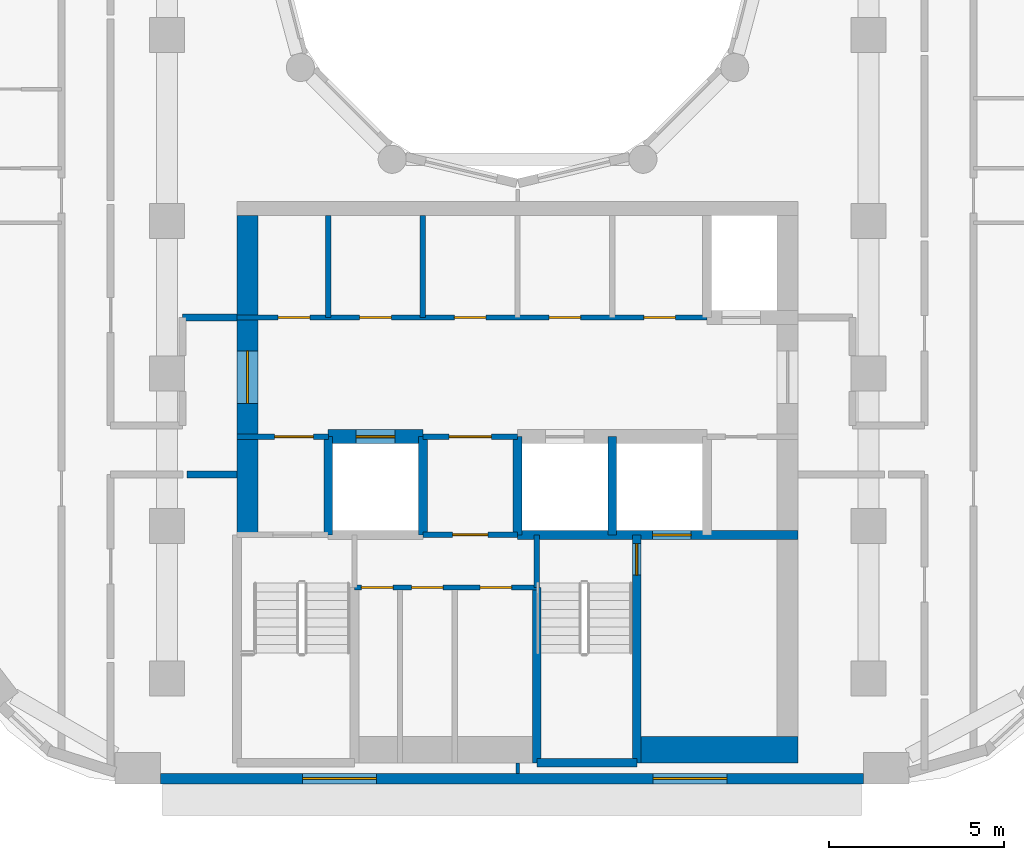
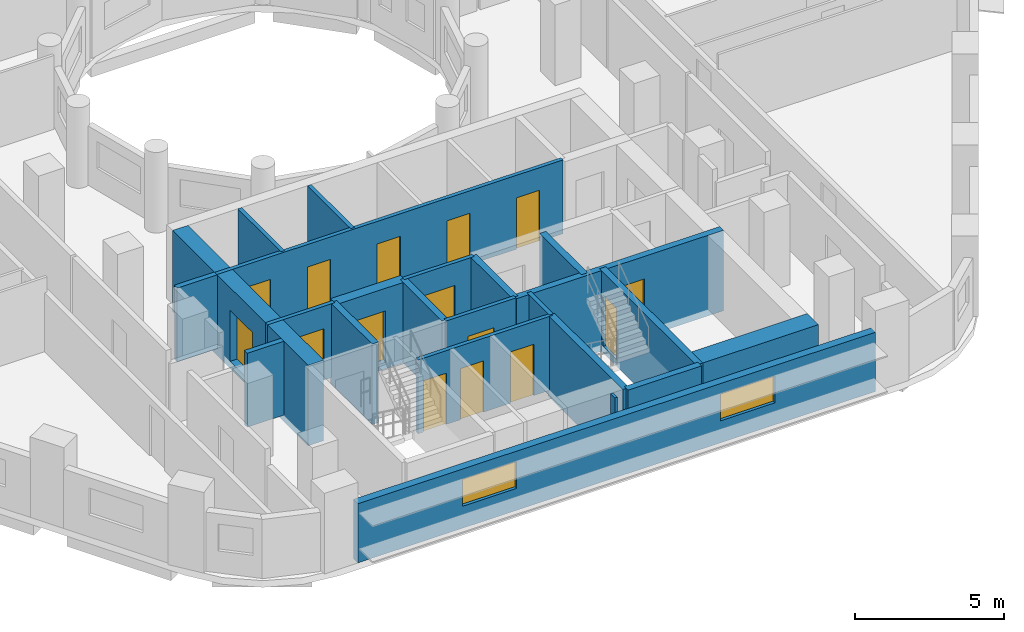
# One storey, part 3 of 14: 23 walls, 15 doors, 2 windows, 17 openings.
"""IFC4 building model written with IfcOpenShell, lengths in metres."""

from ifc_helpers import new_model, si_unit, direction, frame, frame_2d, origin, place, context, subcontext, project, spatial, rectangle, extrude, material, layer, layer_set, type_object, element, fill, save


model = new_model("IFC4")

# Units and contexts
model_context = context("Model", 3, precision=1e-05, world=origin(), true_north=direction((0.0, 1.0)))
body_context = subcontext(model_context, "Body", "Model", "MODEL_VIEW")
ifc_project = project(units=[si_unit("LENGTHUNIT", "METRE"), si_unit("AREAUNIT", "SQUARE_METRE"), si_unit("VOLUMEUNIT", "CUBIC_METRE"), si_unit("PLANEANGLEUNIT", "RADIAN"), si_unit("MASSUNIT", "GRAM", prefix="KILO")], contexts=[model_context])

# Site, building, storey
site_placement = place(None, origin())
site = spatial("IfcSite", under=ifc_project, at=site_placement, CompositionType="ELEMENT")
building_placement = place(site_placement, origin())
building = spatial("IfcBuilding", under=site, at=building_placement, Name="Nakaniwa Court", CompositionType="ELEMENT")
storey_placement = place(building_placement, frame((0.0, 0.0, 163.5)))
storey = spatial("IfcBuildingStorey", under=building, at=storey_placement, Name="L43", CompositionType="ELEMENT", Elevation=163.5)

# Walls
ifc_material_1 = material(Name="Acoustic double stud partition")
ifc_layer_1 = layer(ifc_material_1, 0.199951171875)
ifc_layer_set_1 = layer_set([ifc_layer_1], Name="Acoustic double stud partition")
wall_type_1 = type_object("IfcWallType", Name="Acoustic double stud partition 200", PredefinedType="PARTITIONING", material=ifc_layer_set_1)
wall_1_placement = place(storey_placement, frame((70.5771484375, 64.824951171875, 0.0), z_axis=(0.0, 0.0, 1.0), x_axis=(1.0, 0.0, 0.0)))
element("IfcWall", 1, at=wall_1_placement, inside=storey, type_object=wall_type_1, Name="Partition PW-082", PredefinedType="PARTITIONING", context=body_context, shape_type="SweptSolid", body=[
    extrude(rectangle(XDim=1.4228515625, YDim=0.199951171875, at=frame_2d((0.71142578125, 0.0))), origin(), (0.0, 0.0, 1.0), 3.02490234375),
])
wall_2_placement = place(storey_placement, frame((70.449951171875, 69.300048828125, 0.0), z_axis=(0.0, 0.0, 1.0), x_axis=(1.0, 0.0, 0.0)))
element("IfcWall", 2, at=wall_2_placement, inside=storey, type_object=wall_type_1, Name="Partition PW-086", PredefinedType="PARTITIONING", context=body_context, shape_type="SweptSolid", body=[
    extrude(rectangle(XDim=1.550048828125, YDim=0.199951171875, at=frame_2d((0.77490234375, 0.0))), origin(), (0.0, 0.0, 1.0), 3.02490234375),
])

# Wall, openings, windows
ifc_material_2 = material(Name="Charcoal ceramic cladding")
ifc_layer_2 = layer(ifc_material_2, 0.02, Name="Ceramic cladding")
ifc_material_3 = material(Name="Ventilated air cavity")
ifc_layer_3 = layer(ifc_material_3, 0.04, ventilated=True, Name="Ventilated cavity")
ifc_material_4 = material(Name="Mineral wool insulation")
ifc_layer_4 = layer(ifc_material_4, 0.1, Name="Insulation")
ifc_material_5 = material(Name="Cement bonded sheathing board")
ifc_layer_5 = layer(ifc_material_5, 0.012, Name="Sheathing")
ifc_material_6 = material(Name="Cold-formed galvanised stud frame with mineral wool infill")
ifc_layer_6 = layer(ifc_material_6, 0.1, Name="Stud frame")
ifc_material_7 = material(Name="Fire-rated gypsum plasterboard lining")
ifc_layer_7 = layer(ifc_material_7, 0.028, Name="Lining")
ifc_layer_set_2 = layer_set([ifc_layer_2, ifc_layer_3, ifc_layer_4, ifc_layer_5, ifc_layer_6, ifc_layer_7], Name="Charcoal ceramic faced external wall system")
wall_type_2 = type_object("IfcWallType", Name="Black ceramic faced external wall 300", PredefinedType="SOLIDWALL", material=ifc_layer_set_2)
wall_3_placement = place(storey_placement, frame((69.8212890625, 56.14990234375, 0.0), z_axis=(0.0, 0.0, 1.0), x_axis=(1.0, 0.0, 0.0)))
wall_3 = element("IfcWall", 3, at=wall_3_placement, inside=storey, type_object=wall_type_2, Name="L43 external wall 26", PredefinedType="SOLIDWALL", context=body_context, shape_type="SweptSolid", body=[
    extrude(rectangle(XDim=20.039794921875, YDim=0.300048828125, at=frame_2d((10.02001953125, 0.0))), origin(), (0.0, 0.0, 1.0), 2.425048828125),
])
opening_1_placement = place(wall_3_placement, frame((4.05126953125, 0.0, 0.89990234375)))
opening_1 = element("IfcOpeningElement", 4, at=opening_1_placement, cuts=wall_3, Name="Opening W7.23", PredefinedType="OPENING", context=body_context, shape_type="SweptSolid", body=[
    extrude(rectangle(XDim=2.10009765625, YDim=1.10009765625, at=frame_2d((1.050048828125, 0.550048828125))), frame((0.0, 0.159912109375, 0.0), z_axis=(0.0, -1.0, 0.0), x_axis=(1.0, 0.0, 0.0)), (0.0, 0.0, 1.0), 0.320068359375),
])
opening_2_placement = place(wall_3_placement, frame((14.047119140625, 0.0, 0.89990234375)))
opening_2 = element("IfcOpeningElement", 5, at=opening_2_placement, cuts=wall_3, Name="Opening W7.24", PredefinedType="OPENING", context=body_context, shape_type="SweptSolid", body=[
    extrude(rectangle(XDim=2.10009765625, YDim=1.10009765625, at=frame_2d((1.050048828125, 0.550048828125))), frame((0.0, 0.159912109375, 0.0), z_axis=(0.0, -1.0, 0.0), x_axis=(1.0, 0.0, 0.0)), (0.0, 0.0, 1.0), 0.320068359375),
])
ifc_material_8 = material(Name="Black anodised aluminium frame with dark low-E laminated double glazing", Category="aluminium")
window_type = type_object("IfcWindowType", Name="Dark glass window 2100x1100 sill 900", PartitioningType="SINGLE_PANEL", PredefinedType="WINDOW", material=ifc_material_8)
window_1_placement = place(opening_1_placement, origin())
window_1 = element("IfcWindow", 6, at=window_1_placement, inside=storey, type_object=window_type, Name="L43 habitable room window 26-0", OverallHeight=1.10009765625, OverallWidth=2.10009765625, PartitioningType="SINGLE_PANEL", PredefinedType="WINDOW", context=body_context, shape_type="SweptSolid", body=[
    extrude(rectangle(XDim=2.10009765625, YDim=1.10009765625, at=frame_2d((1.050048828125, 0.550048828125))), frame((0.0, 0.030029296875, 0.0), z_axis=(0.0, -1.0, 0.0), x_axis=(1.0, 0.0, 0.0)), (0.0, 0.0, 1.0), 0.06005859375),
])
fill(opening_1, window_1)
window_2_placement = place(opening_2_placement, origin())
window_2 = element("IfcWindow", 7, at=window_2_placement, inside=storey, type_object=window_type, Name="L43 habitable room window 26-1", OverallHeight=1.10009765625, OverallWidth=2.10009765625, PartitioningType="SINGLE_PANEL", PredefinedType="WINDOW", context=body_context, shape_type="SweptSolid", body=[
    extrude(rectangle(XDim=2.10009765625, YDim=1.10009765625, at=frame_2d((1.050048828125, 0.550048828125))), frame((0.0, 0.030029296875, 0.0), z_axis=(0.0, -1.0, 0.0), x_axis=(1.0, 0.0, 0.0)), (0.0, 0.0, 1.0), 0.06005859375),
])
fill(opening_2, window_2)

# Wall
ifc_material_9 = material(Name="Blockwork partition", Category="masonry")
ifc_layer_8 = layer(ifc_material_9, 0.14990234375)
ifc_layer_set_3 = layer_set([ifc_layer_8], Name="Blockwork partition")
wall_type_3 = type_object("IfcWallType", Name="Blockwork partition 150", PredefinedType="PARTITIONING", material=ifc_layer_set_3)
wall_4_placement = place(storey_placement, frame((74.60009765625, 69.300048828125, 0.0), z_axis=(0.0, 0.0, 1.0), x_axis=(0.0, 1.0, 0.0)))
element("IfcWall", 8, at=wall_4_placement, inside=storey, type_object=wall_type_3, Name="Partition PW-037", PredefinedType="PARTITIONING", context=body_context, shape_type="SweptSolid", body=[
    extrude(rectangle(XDim=2.89990234375, YDim=0.14990234375, at=frame_2d((1.449951171875, 0.0))), origin(), (0.0, 0.0, 1.0), 3.02490234375),
])

# Wall, openings, doors
wall_5_placement = place(storey_placement, frame((72.0, 69.300048828125, 0.0), z_axis=(0.0, 0.0, 1.0), x_axis=(1.0, 0.0, 0.0)))
wall_5 = element("IfcWall", 9, at=wall_5_placement, inside=storey, type_object=wall_type_3, Name="Partition PW-038", PredefinedType="PARTITIONING", context=body_context, shape_type="SweptSolid", body=[
    extrude(rectangle(XDim=13.39990234375, YDim=0.14990234375, at=frame_2d((6.699951171875, 0.0))), origin(), (0.0, 0.0, 1.0), 3.02490234375),
])
opening_3_placement = place(wall_5_placement, frame((1.175048828125, 0.0, 0.0)))
opening_3 = element("IfcOpeningElement", 10, at=opening_3_placement, cuts=wall_5, Name="Opening D-05-10", PredefinedType="OPENING", context=body_context, shape_type="SweptSolid", body=[
    extrude(rectangle(XDim=0.89990234375, YDim=2.10009765625, at=frame_2d((0.449951171875, 1.050048828125))), frame((0.0, 0.0849609375, 0.0), z_axis=(0.0, -1.0, 0.0), x_axis=(1.0, 0.0, 0.0)), (0.0, 0.0, 1.0), 0.169921875),
])
opening_4_placement = place(wall_5_placement, frame((3.5, 0.0, 0.0)))
opening_4 = element("IfcOpeningElement", 11, at=opening_4_placement, cuts=wall_5, Name="Opening D-05-11", PredefinedType="OPENING", context=body_context, shape_type="SweptSolid", body=[
    extrude(rectangle(XDim=0.89990234375, YDim=2.10009765625, at=frame_2d((0.449951171875, 1.050048828125))), frame((0.0, 0.0849609375, 0.0), z_axis=(0.0, -1.0, 0.0), x_axis=(1.0, 0.0, 0.0)), (0.0, 0.0, 1.0), 0.169921875),
])
opening_5_placement = place(wall_5_placement, frame((6.199951171875, 0.0, 0.0)))
opening_5 = element("IfcOpeningElement", 12, at=opening_5_placement, cuts=wall_5, Name="Opening D-05-12", PredefinedType="OPENING", context=body_context, shape_type="SweptSolid", body=[
    extrude(rectangle(XDim=0.89990234375, YDim=2.10009765625, at=frame_2d((0.449951171875, 1.050048828125))), frame((0.0, 0.0849609375, 0.0), z_axis=(0.0, -1.0, 0.0), x_axis=(1.0, 0.0, 0.0)), (0.0, 0.0, 1.0), 0.169921875),
])
opening_6_placement = place(wall_5_placement, frame((8.89990234375, 0.0, 0.0)))
opening_6 = element("IfcOpeningElement", 13, at=opening_6_placement, cuts=wall_5, Name="Opening D-05-13", PredefinedType="OPENING", context=body_context, shape_type="SweptSolid", body=[
    extrude(rectangle(XDim=0.89990234375, YDim=2.10009765625, at=frame_2d((0.449951171875, 1.050048828125))), frame((0.0, 0.0849609375, 0.0), z_axis=(0.0, -1.0, 0.0), x_axis=(1.0, 0.0, 0.0)), (0.0, 0.0, 1.0), 0.169921875),
])
opening_7_placement = place(wall_5_placement, frame((11.60009765625, 0.0, 0.0)))
opening_7 = element("IfcOpeningElement", 14, at=opening_7_placement, cuts=wall_5, Name="Opening D-05-14", PredefinedType="OPENING", context=body_context, shape_type="SweptSolid", body=[
    extrude(rectangle(XDim=0.89990234375, YDim=2.10009765625, at=frame_2d((0.449951171875, 1.050048828125))), frame((0.0, 0.0849609375, 0.0), z_axis=(0.0, -1.0, 0.0), x_axis=(1.0, 0.0, 0.0)), (0.0, 0.0, 1.0), 0.169921875),
])
ifc_material_10 = material(Name="Fire rated steel door set", Category="steel")
door_type_1 = type_object("IfcDoorType", Name="Service room door 900", OperationType="NOTDEFINED", PredefinedType="DOOR", material=ifc_material_10)
door_1_placement = place(opening_3_placement, origin())
door_1 = element("IfcDoor", 15, at=door_1_placement, inside=storey, type_object=door_type_1, Name="Door D-05-10 L43-015", OperationType="SINGLE_SWING_RIGHT", OverallHeight=2.10009765625, OverallWidth=0.89990234375, PredefinedType="DOOR", context=body_context, shape_type="SweptSolid", body=[
    extrude(rectangle(XDim=0.89990234375, YDim=2.10009765625, at=frame_2d((0.449951171875, 1.050048828125))), frame((0.0, 0.02490234375, 0.0), z_axis=(0.0, -1.0, 0.0), x_axis=(1.0, 0.0, 0.0)), (0.0, 0.0, 1.0), 0.050048828125),
])
fill(opening_3, door_1)
door_2_placement = place(opening_4_placement, origin())
door_2 = element("IfcDoor", 16, at=door_2_placement, inside=storey, type_object=door_type_1, Name="Door D-05-11 L43-016", OperationType="SINGLE_SWING_LEFT", OverallHeight=2.10009765625, OverallWidth=0.89990234375, PredefinedType="DOOR", context=body_context, shape_type="SweptSolid", body=[
    extrude(rectangle(XDim=0.89990234375, YDim=2.10009765625, at=frame_2d((0.449951171875, 1.050048828125))), frame((0.0, 0.02490234375, 0.0), z_axis=(0.0, -1.0, 0.0), x_axis=(1.0, 0.0, 0.0)), (0.0, 0.0, 1.0), 0.050048828125),
])
fill(opening_4, door_2)
door_3_placement = place(opening_5_placement, origin())
door_3 = element("IfcDoor", 17, at=door_3_placement, inside=storey, type_object=door_type_1, Name="Door D-05-12 L43-017", OperationType="SINGLE_SWING_RIGHT", OverallHeight=2.10009765625, OverallWidth=0.89990234375, PredefinedType="DOOR", context=body_context, shape_type="SweptSolid", body=[
    extrude(rectangle(XDim=0.89990234375, YDim=2.10009765625, at=frame_2d((0.449951171875, 1.050048828125))), frame((0.0, 0.02490234375, 0.0), z_axis=(0.0, -1.0, 0.0), x_axis=(1.0, 0.0, 0.0)), (0.0, 0.0, 1.0), 0.050048828125),
])
fill(opening_5, door_3)
door_4_placement = place(opening_6_placement, origin())
door_4 = element("IfcDoor", 18, at=door_4_placement, inside=storey, type_object=door_type_1, Name="Door D-05-13 L43-018", OperationType="SINGLE_SWING_LEFT", OverallHeight=2.10009765625, OverallWidth=0.89990234375, PredefinedType="DOOR", context=body_context, shape_type="SweptSolid", body=[
    extrude(rectangle(XDim=0.89990234375, YDim=2.10009765625, at=frame_2d((0.449951171875, 1.050048828125))), frame((0.0, 0.02490234375, 0.0), z_axis=(0.0, -1.0, 0.0), x_axis=(1.0, 0.0, 0.0)), (0.0, 0.0, 1.0), 0.050048828125),
])
fill(opening_6, door_4)
door_5_placement = place(opening_7_placement, origin())
door_5 = element("IfcDoor", 19, at=door_5_placement, inside=storey, type_object=door_type_1, Name="Door D-05-14 L43-019", OperationType="SINGLE_SWING_RIGHT", OverallHeight=2.10009765625, OverallWidth=0.89990234375, PredefinedType="DOOR", context=body_context, shape_type="SweptSolid", body=[
    extrude(rectangle(XDim=0.89990234375, YDim=2.10009765625, at=frame_2d((0.449951171875, 1.050048828125))), frame((0.0, 0.02490234375, 0.0), z_axis=(0.0, -1.0, 0.0), x_axis=(1.0, 0.0, 0.0)), (0.0, 0.0, 1.0), 0.050048828125),
])
fill(opening_7, door_5)

# Wall
wall_6_placement = place(storey_placement, frame((77.300048828125, 69.300048828125, 0.0), z_axis=(0.0, 0.0, 1.0), x_axis=(0.0, 1.0, 0.0)))
element("IfcWall", 20, at=wall_6_placement, inside=storey, type_object=wall_type_3, Name="Partition PW-044", PredefinedType="PARTITIONING", context=body_context, shape_type="SweptSolid", body=[
    extrude(rectangle(XDim=2.89990234375, YDim=0.14990234375, at=frame_2d((1.449951171875, 0.0))), origin(), (0.0, 0.0, 1.0), 3.02490234375),
])

# Wall, opening, door
wall_7_placement = place(storey_placement, frame((74.60302734375, 65.89990234375, 0.0), z_axis=(0.0, 0.0, 1.0), x_axis=(-1.0, 0.0, 0.0)))
wall_7 = element("IfcWall", 21, at=wall_7_placement, inside=storey, type_object=wall_type_3, Name="Partition PW-047", PredefinedType="PARTITIONING", context=body_context, shape_type="SweptSolid", body=[
    extrude(rectangle(XDim=2.60302734375, YDim=0.14990234375, at=frame_2d((1.301513671875, 0.0))), origin(), (0.0, 0.0, 1.0), 3.02490234375),
])
opening_8_placement = place(wall_7_placement, frame((0.427978515625, 0.0, 0.0)))
opening_8 = element("IfcOpeningElement", 22, at=opening_8_placement, cuts=wall_7, Name="Opening D-08-02", PredefinedType="OPENING", context=body_context, shape_type="SweptSolid", body=[
    extrude(rectangle(XDim=1.10009765625, YDim=2.10009765625, at=frame_2d((0.550048828125, 1.050048828125))), frame((0.0, 0.0849609375, 0.0), z_axis=(0.0, -1.0, 0.0), x_axis=(1.0, 0.0, 0.0)), (0.0, 0.0, 1.0), 0.169921875),
])
door_type_2 = type_object("IfcDoorType", Name="Stair lobby door 1100", OperationType="NOTDEFINED", PredefinedType="DOOR", material=ifc_material_10)
door_6_placement = place(opening_8_placement, origin())
door_6 = element("IfcDoor", 23, at=door_6_placement, inside=storey, type_object=door_type_2, Name="Door D-08-02 L43-020", OperationType="SINGLE_SWING_LEFT", OverallHeight=2.10009765625, OverallWidth=1.10009765625, PredefinedType="DOOR", context=body_context, shape_type="SweptSolid", body=[
    extrude(rectangle(XDim=1.10009765625, YDim=2.10009765625, at=frame_2d((0.550048828125, 1.050048828125))), frame((0.0, 0.02490234375, 0.0), z_axis=(0.0, -1.0, 0.0), x_axis=(1.0, 0.0, 0.0)), (0.0, 0.0, 1.0), 0.050048828125),
])
fill(opening_8, door_6)

wall_8_placement = place(storey_placement, frame((80.0029296875, 65.89990234375, 0.0), z_axis=(0.0, 0.0, 1.0), x_axis=(-1.0, 0.0, 0.0)))
wall_8 = element("IfcWall", 24, at=wall_8_placement, inside=storey, type_object=wall_type_3, Name="Partition PW-048", PredefinedType="PARTITIONING", context=body_context, shape_type="SweptSolid", body=[
    extrude(rectangle(XDim=2.705810546875, YDim=0.14990234375, at=frame_2d((1.35302734375, 0.0))), origin(), (0.0, 0.0, 1.0), 3.02490234375),
])
opening_9_placement = place(wall_8_placement, frame((0.7529296875, 0.0, 0.0)))
opening_9 = element("IfcOpeningElement", 25, at=opening_9_placement, cuts=wall_8, Name="Opening D-06-02", PredefinedType="OPENING", context=body_context, shape_type="SweptSolid", body=[
    extrude(rectangle(XDim=1.199951171875, YDim=2.10009765625, at=frame_2d((0.60009765625, 1.050048828125))), frame((0.0, 0.0849609375, 0.0), z_axis=(0.0, -1.0, 0.0), x_axis=(1.0, 0.0, 0.0)), (0.0, 0.0, 1.0), 0.169921875),
])
ifc_material_11 = material(Name="Fire rated steel double door set", Category="steel")
door_type_3 = type_object("IfcDoorType", Name="Service passage double door 1200", OperationType="NOTDEFINED", PredefinedType="DOOR", material=ifc_material_11)
door_7_placement = place(opening_9_placement, origin())
door_7 = element("IfcDoor", 26, at=door_7_placement, inside=storey, type_object=door_type_3, Name="Door D-06-02 L43-021", OperationType="DOUBLE_DOOR_SINGLE_SWING", OverallHeight=2.10009765625, OverallWidth=1.199951171875, PredefinedType="DOOR", context=body_context, shape_type="SweptSolid", body=[
    extrude(rectangle(XDim=1.199951171875, YDim=2.10009765625, at=frame_2d((0.60009765625, 1.050048828125))), frame((0.0, 0.02490234375, 0.0), z_axis=(0.0, -1.0, 0.0), x_axis=(1.0, 0.0, 0.0)), (0.0, 0.0, 1.0), 0.050048828125),
])
fill(opening_9, door_7)

wall_9_placement = place(storey_placement, frame((80.0, 63.10009765625, 0.0), z_axis=(0.0, 0.0, 1.0), x_axis=(-1.0, 0.0, 0.0)))
wall_9 = element("IfcWall", 27, at=wall_9_placement, inside=storey, type_object=wall_type_3, Name="Partition PW-058", PredefinedType="PARTITIONING", context=body_context, shape_type="SweptSolid", body=[
    extrude(rectangle(XDim=2.699951171875, YDim=0.14990234375, at=frame_2d((1.35009765625, 0.0))), origin(), (0.0, 0.0, 1.0), 3.02490234375),
])
opening_10_placement = place(wall_9_placement, frame((0.85009765625, 0.0, 0.0)))
opening_10 = element("IfcOpeningElement", 28, at=opening_10_placement, cuts=wall_9, Name="Opening D-23-02", PredefinedType="OPENING", context=body_context, shape_type="SweptSolid", body=[
    extrude(rectangle(XDim=1.0, YDim=2.10009765625, at=frame_2d((0.5, 1.050048828125))), frame((0.0, 0.0849609375, 0.0), z_axis=(0.0, -1.0, 0.0), x_axis=(1.0, 0.0, 0.0)), (0.0, 0.0, 1.0), 0.169921875),
])
door_type_4 = type_object("IfcDoorType", Name="Service room door 1000", OperationType="NOTDEFINED", PredefinedType="DOOR", material=ifc_material_10)
door_8_placement = place(opening_10_placement, origin())
door_8 = element("IfcDoor", 29, at=door_8_placement, inside=storey, type_object=door_type_4, Name="Door D-23-02 L43-023", OperationType="SINGLE_SWING_RIGHT", OverallHeight=2.10009765625, OverallWidth=1.0, PredefinedType="DOOR", context=body_context, shape_type="SweptSolid", body=[
    extrude(rectangle(XDim=1.0, YDim=2.10009765625, at=frame_2d((0.5, 1.050048828125))), frame((0.0, 0.02490234375, 0.0), z_axis=(0.0, -1.0, 0.0), x_axis=(1.0, 0.0, 0.0)), (0.0, 0.0, 1.0), 0.050048828125),
])
fill(opening_10, door_8)

# Wall, openings, doors
wall_10_placement = place(storey_placement, frame((80.550048828125, 61.60009765625, 0.0), z_axis=(0.0, 0.0, 1.0), x_axis=(-1.0, 0.0, 0.0)))
wall_10 = element("IfcWall", 30, at=wall_10_placement, inside=storey, type_object=wall_type_3, Name="Partition PW-070", PredefinedType="PARTITIONING", context=body_context, shape_type="SweptSolid", body=[
    extrude(rectangle(XDim=5.199951171875, YDim=0.14990234375, at=frame_2d((2.60009765625, 0.0))), origin(), (0.0, 0.0, 1.0), 3.02490234375),
])
opening_11_placement = place(wall_10_placement, frame((4.10009765625, 0.0, 0.0)))
opening_11 = element("IfcOpeningElement", 31, at=opening_11_placement, cuts=wall_10, Name="Opening D-05-16", PredefinedType="OPENING", context=body_context, shape_type="SweptSolid", body=[
    extrude(rectangle(XDim=0.89990234375, YDim=2.10009765625, at=frame_2d((0.449951171875, 1.050048828125))), frame((0.0, 0.0849609375, 0.0), z_axis=(0.0, -1.0, 0.0), x_axis=(1.0, 0.0, 0.0)), (0.0, 0.0, 1.0), 0.169921875),
])
opening_12_placement = place(wall_10_placement, frame((2.669921875, 0.0, 0.0)))
opening_12 = element("IfcOpeningElement", 32, at=opening_12_placement, cuts=wall_10, Name="Opening D-05-17", PredefinedType="OPENING", context=body_context, shape_type="SweptSolid", body=[
    extrude(rectangle(XDim=0.89990234375, YDim=2.10009765625, at=frame_2d((0.449951171875, 1.050048828125))), frame((0.0, 0.0849609375, 0.0), z_axis=(0.0, -1.0, 0.0), x_axis=(1.0, 0.0, 0.0)), (0.0, 0.0, 1.0), 0.169921875),
])
opening_13_placement = place(wall_10_placement, frame((0.719970703125, 0.0, 0.0)))
opening_13 = element("IfcOpeningElement", 33, at=opening_13_placement, cuts=wall_10, Name="Opening D-05-18", PredefinedType="OPENING", context=body_context, shape_type="SweptSolid", body=[
    extrude(rectangle(XDim=0.89990234375, YDim=2.10009765625, at=frame_2d((0.449951171875, 1.050048828125))), frame((0.0, 0.0849609375, 0.0), z_axis=(0.0, -1.0, 0.0), x_axis=(1.0, 0.0, 0.0)), (0.0, 0.0, 1.0), 0.169921875),
])
door_9_placement = place(opening_11_placement, origin())
door_9 = element("IfcDoor", 34, at=door_9_placement, inside=storey, type_object=door_type_1, Name="Door D-05-16 L43-024", OperationType="SINGLE_SWING_LEFT", OverallHeight=2.10009765625, OverallWidth=0.89990234375, PredefinedType="DOOR", context=body_context, shape_type="SweptSolid", body=[
    extrude(rectangle(XDim=0.89990234375, YDim=2.10009765625, at=frame_2d((0.449951171875, 1.050048828125))), frame((0.0, 0.02490234375, 0.0), z_axis=(0.0, -1.0, 0.0), x_axis=(1.0, 0.0, 0.0)), (0.0, 0.0, 1.0), 0.050048828125),
])
fill(opening_11, door_9)
door_10_placement = place(opening_12_placement, origin())
door_10 = element("IfcDoor", 35, at=door_10_placement, inside=storey, type_object=door_type_1, Name="Door D-05-17 L43-025", OperationType="SINGLE_SWING_RIGHT", OverallHeight=2.10009765625, OverallWidth=0.89990234375, PredefinedType="DOOR", context=body_context, shape_type="SweptSolid", body=[
    extrude(rectangle(XDim=0.89990234375, YDim=2.10009765625, at=frame_2d((0.449951171875, 1.050048828125))), frame((0.0, 0.02490234375, 0.0), z_axis=(0.0, -1.0, 0.0), x_axis=(1.0, 0.0, 0.0)), (0.0, 0.0, 1.0), 0.050048828125),
])
fill(opening_12, door_10)
door_11_placement = place(opening_13_placement, origin())
door_11 = element("IfcDoor", 36, at=door_11_placement, inside=storey, type_object=door_type_1, Name="Door D-05-18 L43-026", OperationType="SINGLE_SWING_LEFT", OverallHeight=2.10009765625, OverallWidth=0.89990234375, PredefinedType="DOOR", context=body_context, shape_type="SweptSolid", body=[
    extrude(rectangle(XDim=0.89990234375, YDim=2.10009765625, at=frame_2d((0.449951171875, 1.050048828125))), frame((0.0, 0.02490234375, 0.0), z_axis=(0.0, -1.0, 0.0), x_axis=(1.0, 0.0, 0.0)), (0.0, 0.0, 1.0), 0.050048828125),
])
fill(opening_13, door_11)

# Wall, opening, door
ifc_material_12 = material(Name="Concrete C80/100", Category="concrete")
ifc_layer_9 = layer(ifc_material_12, 0.60009765625)
ifc_layer_set_4 = layer_set([ifc_layer_9], Name="Concrete C80/100")
wall_type_4 = type_object("IfcWallType", Name="Concrete core side wall 600 C80", PredefinedType="SHEAR", material=ifc_layer_set_4)
wall_11_placement = place(storey_placement, frame((72.300048828125, 63.10009765625, -0.27490234375), z_axis=(0.0, 0.0, 1.0), x_axis=(0.0, 1.0, 0.0)))
wall_11 = element("IfcWall", 37, at=wall_11_placement, inside=storey, type_object=wall_type_4, Name="Core wall SW-39", PredefinedType="SHEAR", context=body_context, shape_type="SweptSolid", body=[
    extrude(rectangle(XDim=9.099853515625, YDim=0.60009765625, at=frame_2d((4.5498046875, 0.0))), origin(), (0.0, 0.0, 1.0), 3.2998046875),
])
opening_14_placement = place(wall_11_placement, frame((3.748046875, 0.0, 0.27490234375)))
opening_14 = element("IfcOpeningElement", 38, at=opening_14_placement, cuts=wall_11, Name="Opening D-07-04", PredefinedType="OPENING", context=body_context, shape_type="SweptSolid", body=[
    extrude(rectangle(XDim=1.5, YDim=2.10009765625, at=frame_2d((0.75, 1.050048828125))), frame((0.0, 0.31005859375, 0.0), z_axis=(0.0, -1.0, 0.0), x_axis=(1.0, 0.0, 0.0)), (0.0, 0.0, 1.0), 0.6201171875),
])
ifc_material_13 = material(Name="Glazed fire rated steel double door set", Category="steel")
door_type_5 = type_object("IfcDoorType", Name="Lobby double door 1500", OperationType="NOTDEFINED", PredefinedType="DOOR", material=ifc_material_13)
door_12_placement = place(opening_14_placement, origin())
door_12 = element("IfcDoor", 39, at=door_12_placement, inside=storey, type_object=door_type_5, Name="Door D-07-04 L43-061", OperationType="DOUBLE_DOOR_SINGLE_SWING", OverallHeight=2.10009765625, OverallWidth=1.5, PredefinedType="DOOR", context=body_context, shape_type="SweptSolid", body=[
    extrude(rectangle(XDim=1.5, YDim=2.10009765625, at=frame_2d((0.75, 1.050048828125))), frame((0.0, 0.02490234375, 0.0), z_axis=(0.0, -1.0, 0.0), x_axis=(1.0, 0.0, 0.0)), (0.0, 0.0, 1.0), 0.050048828125),
])
fill(opening_14, door_12)

ifc_layer_10 = layer(ifc_material_12, 0.39990234375)
ifc_layer_set_5 = layer_set([ifc_layer_10], Name="Concrete C80/100")
wall_type_5 = type_object("IfcWallType", Name="Concrete core spine wall 400 C80", PredefinedType="SHEAR", material=ifc_layer_set_5)
wall_12_placement = place(storey_placement, frame((74.596923828125, 65.89990234375, -0.27490234375), z_axis=(0.0, 0.0, 1.0), x_axis=(1.0, 0.0, 0.0)))
wall_12 = element("IfcWall", 40, at=wall_12_placement, inside=storey, type_object=wall_type_5, Name="Core wall SW-50", PredefinedType="SHEAR", context=body_context, shape_type="SweptSolid", body=[
    extrude(rectangle(XDim=2.7060546875, YDim=0.39990234375, at=frame_2d((1.35302734375, 0.0))), origin(), (0.0, 0.0, 1.0), 3.2998046875),
])
opening_15_placement = place(wall_12_placement, frame((0.802978515625, 0.0, 0.27490234375)))
opening_15 = element("IfcOpeningElement", 41, at=opening_15_placement, cuts=wall_12, Name="Opening LD06", PredefinedType="OPENING", context=body_context, shape_type="SweptSolid", body=[
    extrude(rectangle(XDim=1.10009765625, YDim=2.10009765625, at=frame_2d((0.550048828125, 1.050048828125))), frame((0.0, 0.2099609375, 0.0), z_axis=(0.0, -1.0, 0.0), x_axis=(1.0, 0.0, 0.0)), (0.0, 0.0, 1.0), 0.419921875),
])
ifc_material_14 = material(Name="Stainless steel sliding lift landing door", Category="steel")
door_type_6 = type_object("IfcDoorType", Name="Lift landing door 1100", OperationType="NOTDEFINED", PredefinedType="DOOR", material=ifc_material_14)
door_13_placement = place(opening_15_placement, origin())
door_13 = element("IfcDoor", 42, at=door_13_placement, inside=storey, type_object=door_type_6, Name="Lift landing door LD06 L43-006", OperationType="SLIDING_TO_LEFT", OverallHeight=2.10009765625, OverallWidth=1.10009765625, PredefinedType="DOOR", context=body_context, shape_type="SweptSolid", body=[
    extrude(rectangle(XDim=1.10009765625, YDim=2.10009765625, at=frame_2d((0.550048828125, 1.050048828125))), frame((0.0, 0.02490234375, 0.0), z_axis=(0.0, -1.0, 0.0), x_axis=(1.0, 0.0, 0.0)), (0.0, 0.0, 1.0), 0.050048828125),
])
fill(opening_15, door_13)

# Walls
ifc_layer_11 = layer(ifc_material_12, 0.14990234375)
ifc_layer_set_6 = layer_set([ifc_layer_11], Name="Concrete C80/100")
wall_type_6 = type_object("IfcWallType", Name="Concrete core wall 150 C80", PredefinedType="SHEAR", material=ifc_layer_set_6)
wall_13_placement = place(storey_placement, frame((80.550048828125, 61.596923828125, -0.27490234375), z_axis=(0.0, 0.0, 1.0), x_axis=(0.0, 1.0, 0.0)))
element("IfcWall", 43, at=wall_13_placement, inside=storey, type_object=wall_type_6, Name="Core wall SW-66", PredefinedType="SHEAR", context=body_context, shape_type="SweptSolid", body=[
    extrude(rectangle(XDim=1.503173828125, YDim=0.14990234375, at=frame_2d((0.75146484375, 0.0))), origin(), (0.0, 0.0, 1.0), 3.2998046875),
])
ifc_layer_12 = layer(ifc_material_12, 0.25)
ifc_layer_set_7 = layer_set([ifc_layer_12], Name="Concrete C80/100")
wall_type_7 = type_object("IfcWallType", Name="Concrete core wall 250 C80", PredefinedType="SHEAR", material=ifc_layer_set_7)
wall_14_placement = place(storey_placement, frame((80.550048828125, 56.60009765625, -0.27490234375), z_axis=(0.0, 0.0, 1.0), x_axis=(1.0, 0.0, 0.0)))
element("IfcWall", 44, at=wall_14_placement, inside=storey, type_object=wall_type_7, Name="Core wall SW-64", PredefinedType="SHEAR", context=body_context, shape_type="SweptSolid", body=[
    extrude(rectangle(XDim=2.849853515625, YDim=0.25, at=frame_2d((1.4248046875, 0.0))), origin(), (0.0, 0.0, 1.0), 3.2998046875),
])
ifc_layer_13 = layer(ifc_material_12, 0.75)
ifc_layer_set_8 = layer_set([ifc_layer_13], Name="Concrete C80/100")
wall_type_8 = type_object("IfcWallType", Name="Concrete core wall 750 C80", PredefinedType="SHEAR", material=ifc_layer_set_8)
wall_15_placement = place(storey_placement, frame((83.39990234375, 56.97509765625, -0.27490234375), z_axis=(0.0, 0.0, 1.0), x_axis=(1.0, 0.0, 0.0)))
element("IfcWall", 45, at=wall_15_placement, inside=storey, type_object=wall_type_8, Name="Core wall SW-69", PredefinedType="SHEAR", context=body_context, shape_type="SweptSolid", body=[
    extrude(rectangle(XDim=4.60009765625, YDim=0.75, at=frame_2d((2.300048828125, 0.0))), origin(), (0.0, 0.0, 1.0), 3.2998046875),
])
ifc_layer_14 = layer(ifc_material_12, 0.25)
ifc_layer_set_9 = layer_set([ifc_layer_14], Name="Concrete C80/100")
wall_type_9 = type_object("IfcWallType", Name="Concrete shaft wall 250 C80", PredefinedType="SHEAR", material=ifc_layer_set_9)
for number, where, z_axis, x_axis, name in (
    (46, (74.60009765625, 63.10009765625, -0.27490234375), (0.0, 0.0, 1.0), (0.0, 1.0, 0.0), "Core wall SW-52"),
    (47, (77.300048828125, 63.10009765625, -0.27490234375), (0.0, 0.0, 1.0), (0.0, 1.0, 0.0), "Core wall SW-54"),
):
    element("IfcWall", number, at=place(storey_placement, frame(where, z_axis=z_axis, x_axis=x_axis)), inside=storey, type_object=wall_type_9, Name=name, PredefinedType="SHEAR", context=body_context, shape_type="SweptSolid", body=[
        extrude(rectangle(XDim=2.7998046875, YDim=0.25, at=frame_2d((1.39990234375, 0.0))), origin(), (0.0, 0.0, 1.0), 3.2998046875),
    ])

# Wall, opening, door
wall_16_placement = place(storey_placement, frame((80.0, 63.10009765625, -0.27490234375), z_axis=(0.0, 0.0, 1.0), x_axis=(1.0, 0.0, 0.0)))
wall_16 = element("IfcWall", 48, at=wall_16_placement, inside=storey, type_object=wall_type_9, Name="Core wall SW-56", PredefinedType="SHEAR", context=body_context, shape_type="SweptSolid", body=[
    extrude(rectangle(XDim=8.0, YDim=0.25, at=frame_2d((4.0, 0.0))), origin(), (0.0, 0.0, 1.0), 3.2998046875),
])
opening_16_placement = place(wall_16_placement, frame((3.84912109375, 0.0, 0.27490234375)))
opening_16 = element("IfcOpeningElement", 49, at=opening_16_placement, cuts=wall_16, Name="Opening LD08", PredefinedType="OPENING", context=body_context, shape_type="SweptSolid", body=[
    extrude(rectangle(XDim=1.10009765625, YDim=2.10009765625, at=frame_2d((0.550048828125, 1.050048828125))), frame((0.0, 0.135009765625, 0.0), z_axis=(0.0, -1.0, 0.0), x_axis=(1.0, 0.0, 0.0)), (0.0, 0.0, 1.0), 0.27001953125),
])
door_14_placement = place(opening_16_placement, origin())
door_14 = element("IfcDoor", 50, at=door_14_placement, inside=storey, type_object=door_type_6, Name="Lift landing door LD08 L43-008", OperationType="SLIDING_TO_LEFT", OverallHeight=2.10009765625, OverallWidth=1.10009765625, PredefinedType="DOOR", context=body_context, shape_type="SweptSolid", body=[
    extrude(rectangle(XDim=1.10009765625, YDim=2.10009765625, at=frame_2d((0.550048828125, 1.050048828125))), frame((0.0, 0.02490234375, 0.0), z_axis=(0.0, -1.0, 0.0), x_axis=(1.0, 0.0, 0.0)), (0.0, 0.0, 1.0), 0.050048828125),
])
fill(opening_16, door_14)

# Walls
for number, where, z_axis, x_axis, name in (
    (51, (80.0, 63.10009765625, -0.27490234375), (0.0, 0.0, 1.0), (0.0, 1.0, 0.0), "Core wall SW-57"),
    (52, (82.699951171875, 63.10009765625, -0.27490234375), (0.0, 0.0, 1.0), (0.0, 1.0, 0.0), "Core wall SW-59"),
):
    element("IfcWall", number, at=place(storey_placement, frame(where, z_axis=z_axis, x_axis=x_axis)), inside=storey, type_object=wall_type_9, Name=name, PredefinedType="SHEAR", context=body_context, shape_type="SweptSolid", body=[
        extrude(rectangle(XDim=2.7998046875, YDim=0.25, at=frame_2d((1.39990234375, 0.0))), origin(), (0.0, 0.0, 1.0), 3.2998046875),
    ])

# Wall, opening, door
wall_17_placement = place(storey_placement, frame((83.39990234375, 63.10009765625, -0.27490234375), z_axis=(0.0, 0.0, 1.0), x_axis=(0.0, -1.0, 0.0)))
wall_17 = element("IfcWall", 53, at=wall_17_placement, inside=storey, type_object=wall_type_9, Name="Core wall SW-65", PredefinedType="SHEAR", context=body_context, shape_type="SweptSolid", body=[
    extrude(rectangle(XDim=6.5, YDim=0.25, at=frame_2d((3.25, 0.0))), origin(), (0.0, 0.0, 1.0), 3.2998046875),
])
opening_17_placement = place(wall_17_placement, frame((0.25, 0.0, 0.27490234375)))
opening_17 = element("IfcOpeningElement", 54, at=opening_17_placement, cuts=wall_17, Name="Opening D-11-02", PredefinedType="OPENING", context=body_context, shape_type="SweptSolid", body=[
    extrude(rectangle(XDim=0.89990234375, YDim=2.10009765625, at=frame_2d((0.449951171875, 1.050048828125))), frame((0.0, 0.135009765625, 0.0), z_axis=(0.0, -1.0, 0.0), x_axis=(1.0, 0.0, 0.0)), (0.0, 0.0, 1.0), 0.27001953125),
])
door_type_7 = type_object("IfcDoorType", Name="Stair door 900", OperationType="NOTDEFINED", PredefinedType="DOOR", material=ifc_material_10)
door_15_placement = place(opening_17_placement, origin())
door_15 = element("IfcDoor", 55, at=door_15_placement, inside=storey, type_object=door_type_7, Name="Door D-11-02 L43-028", OperationType="SINGLE_SWING_RIGHT", OverallHeight=2.10009765625, OverallWidth=0.89990234375, PredefinedType="DOOR", context=body_context, shape_type="SweptSolid", body=[
    extrude(rectangle(XDim=0.89990234375, YDim=2.10009765625, at=frame_2d((0.449951171875, 1.050048828125))), frame((0.0, 0.02490234375, 0.0), z_axis=(0.0, -1.0, 0.0), x_axis=(1.0, 0.0, 0.0)), (0.0, 0.0, 1.0), 0.050048828125),
])
fill(opening_17, door_15)

# Walls
wall_18_placement = place(storey_placement, frame((80.550048828125, 56.60009765625, -0.27490234375), z_axis=(0.0, 0.0, 1.0), x_axis=(0.0, 1.0, 0.0)))
element("IfcWall", 56, at=wall_18_placement, inside=storey, type_object=wall_type_9, Name="Core wall SW-67", PredefinedType="SHEAR", context=body_context, shape_type="SweptSolid", body=[
    extrude(rectangle(XDim=5.0029296875, YDim=0.25, at=frame_2d((2.50146484375, 0.0))), origin(), (0.0, 0.0, 1.0), 3.2998046875),
])
ifc_material_15 = material(Name="Single stud plasterboard partition")
ifc_layer_15 = layer(ifc_material_15, 0.10009765625)
ifc_layer_set_10 = layer_set([ifc_layer_15], Name="Single stud plasterboard partition")
wall_type_10 = type_object("IfcWallType", Name="Single stud plasterboard partition 100", PredefinedType="PARTITIONING", material=ifc_layer_set_10)
wall_19_placement = place(storey_placement, frame((80.0, 56.300048828125, 0.0), z_axis=(0.0, 0.0, 1.0), x_axis=(0.0, 1.0, 0.0)))
element("IfcWall", 57, at=wall_19_placement, inside=storey, type_object=wall_type_10, Name="Partition PW-115", PredefinedType="PARTITIONING", context=body_context, shape_type="SweptSolid", body=[
    extrude(rectangle(XDim=0.300048828125, YDim=0.10009765625, at=frame_2d((0.14990234375, 0.0))), origin(), (0.0, 0.0, 1.0), 3.02490234375),
])

save(model, "model.ifc")
